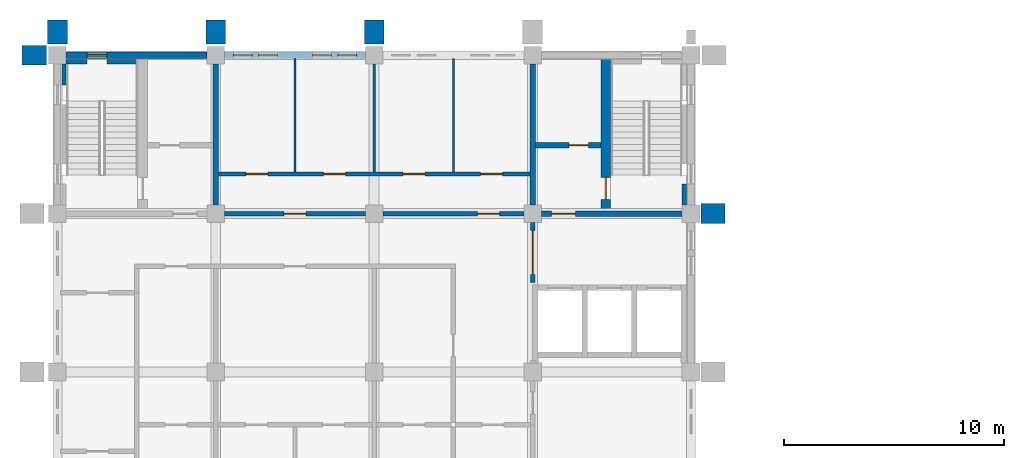
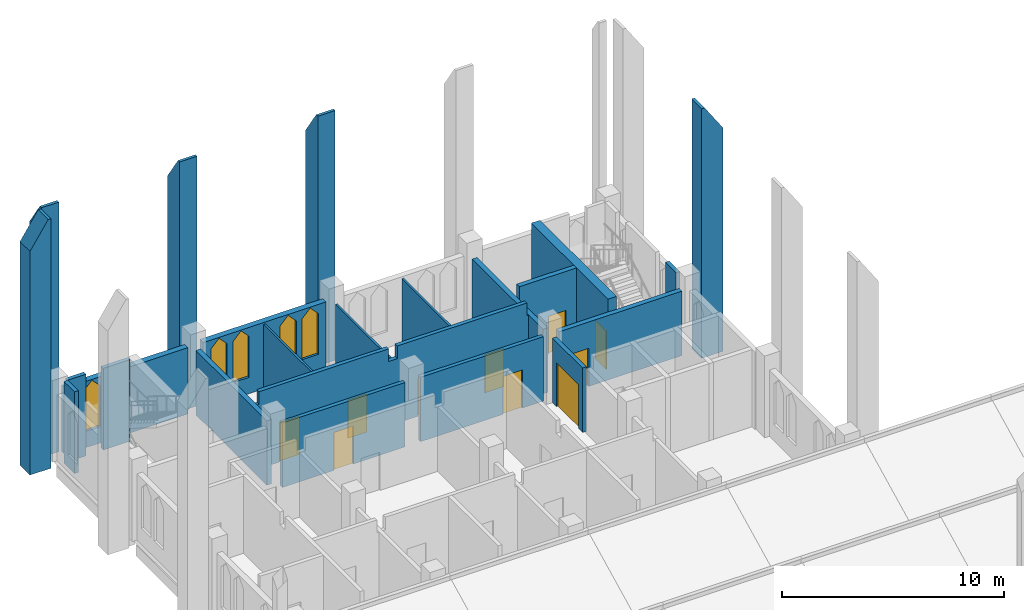
# One storey, part 23 of 29: 23 walls, 10 doors, 5 windows, 15 openings.
"""IFC4 building model written with IfcOpenShell, lengths in metres."""

from ifc_helpers import new_model, si_unit, direction, frame, frame_2d, origin, place, context, subcontext, project, spatial, polyline, rectangle, outline, extrude, material, layer, layer_set, type_object, element, fill, save


model = new_model("IFC4")

# Units and contexts
model_context = context("Model", 3, precision=1e-05, world=origin(), true_north=direction((0.0, 1.0)))
body_context = subcontext(model_context, "Body", "Model", "MODEL_VIEW")
ifc_project = project(units=[si_unit("LENGTHUNIT", "METRE"), si_unit("AREAUNIT", "SQUARE_METRE"), si_unit("VOLUMEUNIT", "CUBIC_METRE"), si_unit("PLANEANGLEUNIT", "RADIAN"), si_unit("MASSUNIT", "GRAM", prefix="KILO")], contexts=[model_context])

# Site, building, storey
site_placement = place(None, origin())
site = spatial("IfcSite", under=ifc_project, at=site_placement, CompositionType="ELEMENT")
building_placement = place(site_placement, origin())
building = spatial("IfcBuilding", under=site, at=building_placement, Name="Silangan Lancet Faculty of Sciences", CompositionType="ELEMENT")
storey_placement = place(building_placement, frame((0.0, 0.0, 40.800048828125)))
storey = spatial("IfcBuildingStorey", under=building, at=storey_placement, Name="L08", CompositionType="ELEMENT", Elevation=40.800048828125)

# Wall, openings, windows
ifc_material_1 = material(Name="Concrete C40/50 precast", Category="concrete")
ifc_layer_1 = layer(ifc_material_1, 0.300048828125)
ifc_layer_set_1 = layer_set([ifc_layer_1], Name="Concrete C40/50 precast")
wall_type_1 = type_object("IfcWallType", Name="EW1 Precast cladding wall", PredefinedType="STANDARD", material=ifc_layer_set_1)
wall_1_placement = place(storey_placement, frame((14.0, 57.60009765625, 0.0), z_axis=(0.0, 0.0, 1.0), x_axis=(-1.0, 0.0, 0.0)))
wall_1 = element("IfcWall", 1, at=wall_1_placement, inside=storey, type_object=wall_type_1, Name="EW-L08-N-NT-02", PredefinedType="STANDARD", context=body_context, shape_type="SweptSolid", body=[
    extrude(rectangle(XDim=6.39990234375, YDim=0.300048828125, at=frame_2d((3.199951171875, 0.0))), origin(), (0.0, 0.0, 1.0), 3.64990234375),
])
opening_1_placement = place(wall_1_placement, frame((0.39990234375, 0.0, 0.89990234375)))
opening_1 = element("IfcOpeningElement", 2, at=opening_1_placement, cuts=wall_1, Name="Opening W21", PredefinedType="OPENING", context=body_context, shape_type="SweptSolid", body=[
    extrude(outline(polyline([(0.0, 0.0), (0.85009765625, 0.0), (0.85009765625, 2.25), (0.425048828125, 2.699951171875), (0.0, 2.25), (0.0, 0.0)])), frame((0.0, 0.159912109375, 0.0), z_axis=(0.0, -1.0, 0.0), x_axis=(1.0, 0.0, 0.0)), (0.0, 0.0, 1.0), 0.320068359375),
])
opening_2_placement = place(wall_1_placement, frame((1.550048828125, 0.0, 0.89990234375)))
opening_2 = element("IfcOpeningElement", 3, at=opening_2_placement, cuts=wall_1, Name="Opening W21", PredefinedType="OPENING", context=body_context, shape_type="SweptSolid", body=[
    extrude(outline(polyline([(0.0, 0.0), (0.85009765625, 0.0), (0.85009765625, 2.25), (0.425048828125, 2.699951171875), (0.0, 2.25), (0.0, 0.0)])), frame((0.0, 0.159912109375, 0.0), z_axis=(0.0, -1.0, 0.0), x_axis=(1.0, 0.0, 0.0)), (0.0, 0.0, 1.0), 0.320068359375),
])
opening_3_placement = place(wall_1_placement, frame((4.0, 0.0, 0.89990234375)))
opening_3 = element("IfcOpeningElement", 4, at=opening_3_placement, cuts=wall_1, Name="Opening W21", PredefinedType="OPENING", context=body_context, shape_type="SweptSolid", body=[
    extrude(outline(polyline([(0.0, 0.0), (0.85009765625, 0.0), (0.85009765625, 2.25), (0.425048828125, 2.699951171875), (0.0, 2.25), (0.0, 0.0)])), frame((0.0, 0.159912109375, 0.0), z_axis=(0.0, -1.0, 0.0), x_axis=(1.0, 0.0, 0.0)), (0.0, 0.0, 1.0), 0.320068359375),
])
opening_4_placement = place(wall_1_placement, frame((5.14990234375, 0.0, 0.89990234375)))
opening_4 = element("IfcOpeningElement", 5, at=opening_4_placement, cuts=wall_1, Name="Opening W21", PredefinedType="OPENING", context=body_context, shape_type="SweptSolid", body=[
    extrude(outline(polyline([(0.0, 0.0), (0.85009765625, 0.0), (0.85009765625, 2.25), (0.425048828125, 2.699951171875), (0.0, 2.25), (0.0, 0.0)])), frame((0.0, 0.159912109375, 0.0), z_axis=(0.0, -1.0, 0.0), x_axis=(1.0, 0.0, 0.0)), (0.0, 0.0, 1.0), 0.320068359375),
])
ifc_material_2 = material(Name="Aluminium frame, laminated double glazing", Category="aluminium")
window_type_1 = type_object("IfcWindowType", Name="W21 Lancet window 850 x 2700", PartitioningType="SINGLE_PANEL", PredefinedType="WINDOW", material=ifc_material_2)
window_1_placement = place(opening_1_placement, origin())
window_1 = element("IfcWindow", 6, at=window_1_placement, inside=storey, type_object=window_type_1, Name="WIN-L08-N-NT-02a1", OverallHeight=2.699951171875, OverallWidth=0.85009765625, PartitioningType="SINGLE_PANEL", PredefinedType="WINDOW", context=body_context, shape_type="SweptSolid", body=[
    extrude(outline(polyline([(0.0, 0.0), (0.85009765625, 0.0), (0.85009765625, 2.25), (0.425048828125, 2.699951171875), (0.0, 2.25), (0.0, 0.0)])), frame((0.0, 0.030029296875, 0.0), z_axis=(0.0, -1.0, 0.0), x_axis=(1.0, 0.0, 0.0)), (0.0, 0.0, 1.0), 0.06005859375),
])
fill(opening_1, window_1)
window_2_placement = place(opening_2_placement, origin())
window_2 = element("IfcWindow", 7, at=window_2_placement, inside=storey, type_object=window_type_1, Name="WIN-L08-N-NT-02a2", OverallHeight=2.699951171875, OverallWidth=0.85009765625, PartitioningType="SINGLE_PANEL", PredefinedType="WINDOW", context=body_context, shape_type="SweptSolid", body=[
    extrude(outline(polyline([(0.0, 0.0), (0.85009765625, 0.0), (0.85009765625, 2.25), (0.425048828125, 2.699951171875), (0.0, 2.25), (0.0, 0.0)])), frame((0.0, 0.030029296875, 0.0), z_axis=(0.0, -1.0, 0.0), x_axis=(1.0, 0.0, 0.0)), (0.0, 0.0, 1.0), 0.06005859375),
])
fill(opening_2, window_2)
window_3_placement = place(opening_3_placement, origin())
window_3 = element("IfcWindow", 8, at=window_3_placement, inside=storey, type_object=window_type_1, Name="WIN-L08-N-NT-02b1", OverallHeight=2.699951171875, OverallWidth=0.85009765625, PartitioningType="SINGLE_PANEL", PredefinedType="WINDOW", context=body_context, shape_type="SweptSolid", body=[
    extrude(outline(polyline([(0.0, 0.0), (0.85009765625, 0.0), (0.85009765625, 2.25), (0.425048828125, 2.699951171875), (0.0, 2.25), (0.0, 0.0)])), frame((0.0, 0.030029296875, 0.0), z_axis=(0.0, -1.0, 0.0), x_axis=(1.0, 0.0, 0.0)), (0.0, 0.0, 1.0), 0.06005859375),
])
fill(opening_3, window_3)
window_4_placement = place(opening_4_placement, origin())
window_4 = element("IfcWindow", 9, at=window_4_placement, inside=storey, type_object=window_type_1, Name="WIN-L08-N-NT-02b2", OverallHeight=2.699951171875, OverallWidth=0.85009765625, PartitioningType="SINGLE_PANEL", PredefinedType="WINDOW", context=body_context, shape_type="SweptSolid", body=[
    extrude(outline(polyline([(0.0, 0.0), (0.85009765625, 0.0), (0.85009765625, 2.25), (0.425048828125, 2.699951171875), (0.0, 2.25), (0.0, 0.0)])), frame((0.0, 0.030029296875, 0.0), z_axis=(0.0, -1.0, 0.0), x_axis=(1.0, 0.0, 0.0)), (0.0, 0.0, 1.0), 0.06005859375),
])
fill(opening_4, window_4)

# Wall, opening, window
ifc_material_3 = material(Name="Concrete C40/50 precast", Category="concrete")
ifc_layer_2 = layer(ifc_material_3, 0.300048828125)
ifc_layer_set_2 = layer_set([ifc_layer_2], Name="Concrete C40/50 precast")
wall_type_2 = type_object("IfcWallType", Name="EW2 Turret enclosure wall", PredefinedType="STANDARD", material=ifc_layer_set_2)
wall_2_placement = place(storey_placement, frame((6.800048828125, 57.60009765625, 0.0), z_axis=(0.0, 0.0, 1.0), x_axis=(-1.0, 0.0, 0.0)))
wall_2 = element("IfcWall", 10, at=wall_2_placement, inside=storey, type_object=wall_type_2, Name="EW-L08-N-NT-03", PredefinedType="STANDARD", context=body_context, shape_type="SweptSolid", body=[
    extrude(rectangle(XDim=6.400146484375, YDim=0.300048828125, at=frame_2d((3.2001953125, 0.0))), origin(), (0.0, 0.0, 1.0), 3.64990234375),
])
opening_5_placement = place(wall_2_placement, frame((4.550048828125, 0.0, 0.89990234375)))
opening_5 = element("IfcOpeningElement", 11, at=opening_5_placement, cuts=wall_2, Name="Opening W22", PredefinedType="OPENING", context=body_context, shape_type="SweptSolid", body=[
    extrude(outline(polyline([(0.0, 0.0), (0.89990234375, 0.0), (0.89990234375, 2.25), (0.449951171875, 2.699951171875), (0.0, 2.25), (0.0, 0.0)])), frame((0.0, 0.159912109375, 0.0), z_axis=(0.0, -1.0, 0.0), x_axis=(1.0, 0.0, 0.0)), (0.0, 0.0, 1.0), 0.320068359375),
])
ifc_material_4 = material(Name="Aluminium frame, laminated double glazing", Category="aluminium")
window_type_2 = type_object("IfcWindowType", Name="W22 Lancet window 900 x 2700", PartitioningType="SINGLE_PANEL", PredefinedType="WINDOW", material=ifc_material_4)
window_5_placement = place(opening_5_placement, origin())
window_5 = element("IfcWindow", 12, at=window_5_placement, inside=storey, type_object=window_type_2, Name="WIN-L08-N-NT-03b", OverallHeight=2.699951171875, OverallWidth=0.89990234375, PartitioningType="SINGLE_PANEL", PredefinedType="WINDOW", context=body_context, shape_type="SweptSolid", body=[
    extrude(outline(polyline([(0.0, 0.0), (0.89990234375, 0.0), (0.89990234375, 2.25), (0.449951171875, 2.699951171875), (0.0, 2.25), (0.0, 0.0)])), frame((0.0, 0.030029296875, 0.0), z_axis=(0.0, -1.0, 0.0), x_axis=(1.0, 0.0, 0.0)), (0.0, 0.0, 1.0), 0.06005859375),
])
fill(opening_5, window_5)

# Walls
ifc_material_5 = material(Name="Concrete C40/50 precast", Category="concrete")
ifc_layer_3 = layer(ifc_material_5, 0.89990234375)
ifc_layer_set_3 = layer_set([ifc_layer_3], Name="Concrete C40/50 precast")
wall_type_3 = type_object("IfcWallType", Name="FN30 Buttress Fin column line stage 3 13750", PredefinedType="POLYGONAL", material=ifc_layer_set_3)
for number, where, z_axis, x_axis, name in (
    (13, (-0.5, 57.60009765625, -0.25), (0.0, 0.0, 1.0), (-1.0, 0.0, 0.0), "FINC-W-NT-03-S3"),
    (14, (0.0, 58.10009765625, -0.25), (0.0, 0.0, 1.0), (0.0, 1.0, 0.0), "FINC-N-NT-01-S3"),
    (15, (7.199951171875, 58.10009765625, -0.25), (0.0, 0.0, 1.0), (0.0, 1.0, 0.0), "FINC-N-NT-02-S3"),
    (16, (14.39990234375, 58.10009765625, -0.25), (0.0, 0.0, 1.0), (0.0, 1.0, 0.0), "FINC-N-NT-03-S3"),
):
    element("IfcWall", number, at=place(storey_placement, frame(where, z_axis=z_axis, x_axis=x_axis)), inside=storey, type_object=wall_type_3, Name=name, PredefinedType="POLYGONAL", context=body_context, shape_type="SweptSolid", body=[
        extrude(outline(polyline([(1.10009765625, 0.0), (1.10009765625, 12.324951171875), (0.14990234375, 13.75), (0.0, 13.75), (0.0, 0.0), (1.10009765625, 0.0)])), frame((0.0, 0.449951171875, 0.0), z_axis=(0.0, -1.0, 0.0), x_axis=(1.0, 0.0, 0.0)), (0.0, 0.0, 1.0), 0.89990234375),
    ])
ifc_material_6 = material(Name="Concrete C40/50 precast", Category="concrete")
ifc_layer_4 = layer(ifc_material_6, 0.89990234375)
ifc_layer_set_4 = layer_set([ifc_layer_4], Name="Concrete C40/50 precast")
wall_type_4 = type_object("IfcWallType", Name="FN48 Buttress Fin column line stage 3 13750", PredefinedType="POLYGONAL", material=ifc_layer_set_4)
wall_3_placement = place(storey_placement, frame((29.25, 50.39990234375, -0.25), z_axis=(0.0, 0.0, 1.0), x_axis=(1.0, 0.0, 0.0)))
element("IfcWall", 17, at=wall_3_placement, inside=storey, type_object=wall_type_4, Name="FINC-E-NT-03-S3", PredefinedType="POLYGONAL", context=body_context, shape_type="SweptSolid", body=[
    extrude(outline(polyline([(1.10009765625, 0.0), (1.10009765625, 12.324951171875), (0.14990234375, 13.75), (0.0, 13.75), (0.0, 0.0), (1.10009765625, 0.0)])), frame((0.0, 0.449951171875, 0.0), z_axis=(0.0, -1.0, 0.0), x_axis=(1.0, 0.0, 0.0)), (0.0, 0.0, 1.0), 0.89990234375),
])

# Wall, opening, door
ifc_material_7 = material(Name="Hollow block masonry fm 7 MPa", Category="masonry")
ifc_layer_5 = layer(ifc_material_7, 0.199951171875)
ifc_layer_set_5 = layer_set([ifc_layer_5], Name="Hollow block masonry fm 7 MPa")
wall_type_5 = type_object("IfcWallType", Name="Interior wall PW1 Corridor wall CHB 200", PredefinedType="PARTITIONING", material=ifc_layer_set_5)
wall_4_placement = place(storey_placement, frame((7.60009765625, 50.39990234375, 0.0), z_axis=(0.0, 0.0, 1.0), x_axis=(1.0, 0.0, 0.0)))
wall_4 = element("IfcWall", 18, at=wall_4_placement, inside=storey, type_object=wall_type_5, Name="Corridor wall CHB 200", PredefinedType="PARTITIONING", context=body_context, shape_type="SweptSolid", body=[
    extrude(rectangle(XDim=6.39990234375, YDim=0.199951171875, at=frame_2d((3.199951171875, 0.0))), origin(), (0.0, 0.0, 1.0), 3.550048828125),
])
opening_6_placement = place(wall_4_placement, frame((2.699951171875, 0.0, 0.0)))
opening_6 = element("IfcOpeningElement", 19, at=opening_6_placement, cuts=wall_4, Name="Opening L08-005", PredefinedType="OPENING", context=body_context, shape_type="SweptSolid", body=[
    extrude(rectangle(XDim=1.0, YDim=2.10009765625, at=frame_2d((0.5, 1.050048828125))), frame((0.0, 0.10986328125, 0.0), z_axis=(0.0, -1.0, 0.0), x_axis=(1.0, 0.0, 0.0)), (0.0, 0.0, 1.0), 0.219970703125),
])
ifc_material_8 = material(Name="Steel fire door set", Category="steel")
door_type_1 = type_object("IfcDoorType", Name="Door D1 Single leaf fire door 1000 x 2100", OperationType="SINGLE_SWING_LEFT", PredefinedType="DOOR", material=ifc_material_8)
door_1_placement = place(opening_6_placement, origin())
door_1 = element("IfcDoor", 20, at=door_1_placement, inside=storey, type_object=door_type_1, Name="Single leaf fire door 1000 x 2100", OperationType="SINGLE_SWING_RIGHT", OverallHeight=2.10009765625, OverallWidth=1.0, PredefinedType="DOOR", context=body_context, shape_type="SweptSolid", body=[
    extrude(rectangle(XDim=1.0, YDim=2.10009765625, at=frame_2d((0.5, 1.050048828125))), frame((0.0, 0.02490234375, 0.0), z_axis=(0.0, -1.0, 0.0), x_axis=(1.0, 0.0, 0.0)), (0.0, 0.0, 1.0), 0.050048828125),
])
fill(opening_6, door_1)

wall_5_placement = place(storey_placement, frame((14.800048828125, 50.39990234375, 0.0), z_axis=(0.0, 0.0, 1.0), x_axis=(1.0, 0.0, 0.0)))
wall_5 = element("IfcWall", 21, at=wall_5_placement, inside=storey, type_object=wall_type_5, Name="Corridor wall CHB 200", PredefinedType="PARTITIONING", context=body_context, shape_type="SweptSolid", body=[
    extrude(rectangle(XDim=6.39990234375, YDim=0.199951171875, at=frame_2d((3.199951171875, 0.0))), origin(), (0.0, 0.0, 1.0), 3.550048828125),
])
opening_7_placement = place(wall_5_placement, frame((4.300048828125, 0.0, 0.0)))
opening_7 = element("IfcOpeningElement", 22, at=opening_7_placement, cuts=wall_5, Name="Opening L08-006", PredefinedType="OPENING", context=body_context, shape_type="SweptSolid", body=[
    extrude(rectangle(XDim=1.0, YDim=2.10009765625, at=frame_2d((0.5, 1.050048828125))), frame((0.0, 0.10986328125, 0.0), z_axis=(0.0, -1.0, 0.0), x_axis=(1.0, 0.0, 0.0)), (0.0, 0.0, 1.0), 0.219970703125),
])
door_2_placement = place(opening_7_placement, origin())
door_2 = element("IfcDoor", 23, at=door_2_placement, inside=storey, type_object=door_type_1, Name="Single leaf fire door 1000 x 2100", OperationType="SINGLE_SWING_LEFT", OverallHeight=2.10009765625, OverallWidth=1.0, PredefinedType="DOOR", context=body_context, shape_type="SweptSolid", body=[
    extrude(rectangle(XDim=1.0, YDim=2.10009765625, at=frame_2d((0.5, 1.050048828125))), frame((0.0, 0.02490234375, 0.0), z_axis=(0.0, -1.0, 0.0), x_axis=(1.0, 0.0, 0.0)), (0.0, 0.0, 1.0), 0.050048828125),
])
fill(opening_7, door_2)

# Wall, openings, doors
wall_6_placement = place(storey_placement, frame((7.324951171875, 52.199951171875, 0.0), z_axis=(0.0, 0.0, 1.0), x_axis=(1.0, 0.0, 0.0)))
wall_6 = element("IfcWall", 24, at=wall_6_placement, inside=storey, type_object=wall_type_5, Name="Corridor wall CHB 200", PredefinedType="PARTITIONING", context=body_context, shape_type="SweptSolid", body=[
    extrude(outline(polyline([(0.0, 0.0), (14.150146484375, 0.0), (14.150146484375, 3.550048828125), (14.050048828125, 3.550048828125), (14.050048828125, 4.25), (7.300048828125, 4.25), (7.300048828125, 3.550048828125), (6.85009765625, 3.550048828125), (6.85009765625, 4.25), (0.10009765625, 4.25), (0.10009765625, 3.550048828125), (0.0, 3.550048828125), (0.0, 0.0)])), frame((0.0, 0.10009765625, 0.0), z_axis=(0.0, -1.0, 0.0), x_axis=(1.0, 0.0, 0.0)), (0.0, 0.0, 1.0), 0.199951171875),
])
opening_8_placement = place(wall_6_placement, frame((1.237548828125, 0.0, 0.0)))
opening_8 = element("IfcOpeningElement", 25, at=opening_8_placement, cuts=wall_6, Name="Opening L08-018", PredefinedType="OPENING", context=body_context, shape_type="SweptSolid", body=[
    extrude(rectangle(XDim=1.0, YDim=2.10009765625, at=frame_2d((0.5, 1.050048828125))), frame((0.0, 0.10986328125, 0.0), z_axis=(0.0, -1.0, 0.0), x_axis=(1.0, 0.0, 0.0)), (0.0, 0.0, 1.0), 0.219970703125),
])
opening_9_placement = place(wall_6_placement, frame((4.77490234375, 0.0, 0.0)))
opening_9 = element("IfcOpeningElement", 26, at=opening_9_placement, cuts=wall_6, Name="Opening L08-019", PredefinedType="OPENING", context=body_context, shape_type="SweptSolid", body=[
    extrude(rectangle(XDim=1.0, YDim=2.10009765625, at=frame_2d((0.5, 1.050048828125))), frame((0.0, 0.10986328125, 0.0), z_axis=(0.0, -1.0, 0.0), x_axis=(1.0, 0.0, 0.0)), (0.0, 0.0, 1.0), 0.219970703125),
])
opening_10_placement = place(wall_6_placement, frame((8.375, 0.0, 0.0)))
opening_10 = element("IfcOpeningElement", 27, at=opening_10_placement, cuts=wall_6, Name="Opening L08-020", PredefinedType="OPENING", context=body_context, shape_type="SweptSolid", body=[
    extrude(rectangle(XDim=1.0, YDim=2.10009765625, at=frame_2d((0.5, 1.050048828125))), frame((0.0, 0.10986328125, 0.0), z_axis=(0.0, -1.0, 0.0), x_axis=(1.0, 0.0, 0.0)), (0.0, 0.0, 1.0), 0.219970703125),
])
opening_11_placement = place(wall_6_placement, frame((11.91259765625, 0.0, 0.0)))
opening_11 = element("IfcOpeningElement", 28, at=opening_11_placement, cuts=wall_6, Name="Opening L08-021", PredefinedType="OPENING", context=body_context, shape_type="SweptSolid", body=[
    extrude(rectangle(XDim=1.0, YDim=2.10009765625, at=frame_2d((0.5, 1.050048828125))), frame((0.0, 0.10986328125, 0.0), z_axis=(0.0, -1.0, 0.0), x_axis=(1.0, 0.0, 0.0)), (0.0, 0.0, 1.0), 0.219970703125),
])
door_3_placement = place(opening_8_placement, origin())
door_3 = element("IfcDoor", 29, at=door_3_placement, inside=storey, type_object=door_type_1, Name="Single leaf fire door 1000 x 2100", OperationType="SINGLE_SWING_LEFT", OverallHeight=2.10009765625, OverallWidth=1.0, PredefinedType="DOOR", context=body_context, shape_type="SweptSolid", body=[
    extrude(rectangle(XDim=1.0, YDim=2.10009765625, at=frame_2d((0.5, 1.050048828125))), frame((0.0, 0.02490234375, 0.0), z_axis=(0.0, -1.0, 0.0), x_axis=(1.0, 0.0, 0.0)), (0.0, 0.0, 1.0), 0.050048828125),
])
fill(opening_8, door_3)
door_4_placement = place(opening_9_placement, origin())
door_4 = element("IfcDoor", 30, at=door_4_placement, inside=storey, type_object=door_type_1, Name="Single leaf fire door 1000 x 2100", OperationType="SINGLE_SWING_RIGHT", OverallHeight=2.10009765625, OverallWidth=1.0, PredefinedType="DOOR", context=body_context, shape_type="SweptSolid", body=[
    extrude(rectangle(XDim=1.0, YDim=2.10009765625, at=frame_2d((0.5, 1.050048828125))), frame((0.0, 0.02490234375, 0.0), z_axis=(0.0, -1.0, 0.0), x_axis=(1.0, 0.0, 0.0)), (0.0, 0.0, 1.0), 0.050048828125),
])
fill(opening_9, door_4)
door_5_placement = place(opening_10_placement, origin())
door_5 = element("IfcDoor", 31, at=door_5_placement, inside=storey, type_object=door_type_1, Name="Single leaf fire door 1000 x 2100", OperationType="SINGLE_SWING_LEFT", OverallHeight=2.10009765625, OverallWidth=1.0, PredefinedType="DOOR", context=body_context, shape_type="SweptSolid", body=[
    extrude(rectangle(XDim=1.0, YDim=2.10009765625, at=frame_2d((0.5, 1.050048828125))), frame((0.0, 0.02490234375, 0.0), z_axis=(0.0, -1.0, 0.0), x_axis=(1.0, 0.0, 0.0)), (0.0, 0.0, 1.0), 0.050048828125),
])
fill(opening_10, door_5)
door_6_placement = place(opening_11_placement, origin())
door_6 = element("IfcDoor", 32, at=door_6_placement, inside=storey, type_object=door_type_1, Name="Single leaf fire door 1000 x 2100", OperationType="SINGLE_SWING_RIGHT", OverallHeight=2.10009765625, OverallWidth=1.0, PredefinedType="DOOR", context=body_context, shape_type="SweptSolid", body=[
    extrude(rectangle(XDim=1.0, YDim=2.10009765625, at=frame_2d((0.5, 1.050048828125))), frame((0.0, 0.02490234375, 0.0), z_axis=(0.0, -1.0, 0.0), x_axis=(1.0, 0.0, 0.0)), (0.0, 0.0, 1.0), 0.050048828125),
])
fill(opening_11, door_6)

# Walls
ifc_material_9 = material(Name="Hollow block masonry fm 7 MPa", Category="masonry")
ifc_layer_6 = layer(ifc_material_9, 0.10009765625)
ifc_layer_set_6 = layer_set([ifc_layer_6], Name="Hollow block masonry fm 7 MPa")
wall_type_6 = type_object("IfcWallType", Name="Interior wall PW8 WC partition CHB 100", PredefinedType="PARTITIONING", material=ifc_layer_set_6)
wall_7_placement = place(storey_placement, frame((10.800048828125, 52.300048828125, 0.0), z_axis=(0.0, 0.0, 1.0), x_axis=(0.0, 1.0, 0.0)))
element("IfcWall", 33, at=wall_7_placement, inside=storey, type_object=wall_type_6, Name="WC partition CHB 100", PredefinedType="PARTITIONING", context=body_context, shape_type="SweptSolid", body=[
    extrude(rectangle(XDim=5.14990234375, YDim=0.10009765625, at=frame_2d((2.574951171875, 0.0))), origin(), (0.0, 0.0, 1.0), 3.550048828125),
])
wall_8_placement = place(storey_placement, frame((14.39990234375, 52.300048828125, 0.0), z_axis=(0.0, 0.0, 1.0), x_axis=(0.0, 1.0, 0.0)))
element("IfcWall", 34, at=wall_8_placement, inside=storey, type_object=wall_type_6, Name="WC partition CHB 100", PredefinedType="PARTITIONING", context=body_context, shape_type="SweptSolid", body=[
    extrude(rectangle(XDim=4.89990234375, YDim=0.10009765625, at=frame_2d((2.449951171875, 0.0))), origin(), (0.0, 0.0, 1.0), 3.550048828125),
])
wall_9_placement = place(storey_placement, frame((18.0, 52.300048828125, 0.0), z_axis=(0.0, 0.0, 1.0), x_axis=(0.0, 1.0, 0.0)))
element("IfcWall", 35, at=wall_9_placement, inside=storey, type_object=wall_type_6, Name="WC partition CHB 100", PredefinedType="PARTITIONING", context=body_context, shape_type="SweptSolid", body=[
    extrude(rectangle(XDim=5.14990234375, YDim=0.10009765625, at=frame_2d((2.574951171875, 0.0))), origin(), (0.0, 0.0, 1.0), 3.550048828125),
])

# Wall, opening, door
ifc_material_10 = material(Name="Hollow block masonry fm 7 MPa", Category="masonry")
ifc_layer_7 = layer(ifc_material_10, 0.199951171875)
ifc_layer_set_7 = layer_set([ifc_layer_7], Name="Hollow block masonry fm 7 MPa")
wall_type_7 = type_object("IfcWallType", Name="Interior wall PW9 Lift lobby wall CHB 200", PredefinedType="PARTITIONING", material=ifc_layer_set_7)
wall_10_placement = place(storey_placement, frame((21.60009765625, 47.27490234375, 0.0), z_axis=(0.0, 0.0, 1.0), x_axis=(0.0, 1.0, 0.0)))
wall_10 = element("IfcWall", 36, at=wall_10_placement, inside=storey, type_object=wall_type_7, Name="Lift lobby wall CHB 200", PredefinedType="PARTITIONING", context=body_context, shape_type="SweptSolid", body=[
    extrude(rectangle(XDim=2.72509765625, YDim=0.199951171875, at=frame_2d((1.362548828125, 0.0))), origin(), (0.0, 0.0, 1.0), 3.550048828125),
])
opening_12_placement = place(wall_10_placement, frame((0.362548828125, 0.0, 0.0)))
opening_12 = element("IfcOpeningElement", 37, at=opening_12_placement, cuts=wall_10, Name="Opening L08-004", PredefinedType="OPENING", context=body_context, shape_type="SweptSolid", body=[
    extrude(rectangle(XDim=2.0, YDim=2.39990234375, at=frame_2d((1.0, 1.199951171875))), frame((0.0, 0.10986328125, 0.0), z_axis=(0.0, -1.0, 0.0), x_axis=(1.0, 0.0, 0.0)), (0.0, 0.0, 1.0), 0.219970703125),
])
ifc_material_11 = material(Name="Steel fire door set", Category="steel")
door_type_2 = type_object("IfcDoorType", Name="Door D5 Lift lobby double fire door 2000 x 2400", OperationType="DOUBLE_DOOR_SINGLE_SWING", PredefinedType="DOOR", material=ifc_material_11)
door_7_placement = place(opening_12_placement, origin())
door_7 = element("IfcDoor", 38, at=door_7_placement, inside=storey, type_object=door_type_2, Name="Lift lobby double fire door 2000 x 2400", OperationType="DOUBLE_DOOR_SINGLE_SWING", OverallHeight=2.39990234375, OverallWidth=2.0, PredefinedType="DOOR", context=body_context, shape_type="SweptSolid", body=[
    extrude(rectangle(XDim=2.0, YDim=2.39990234375, at=frame_2d((1.0, 1.199951171875))), frame((0.0, 0.02490234375, 0.0), z_axis=(0.0, -1.0, 0.0), x_axis=(1.0, 0.0, 0.0)), (0.0, 0.0, 1.0), 0.050048828125),
])
fill(opening_12, door_7)

ifc_material_12 = material(Name="Concrete C40/50", Category="concrete")
ifc_layer_8 = layer(ifc_material_12, 0.449951171875)
ifc_layer_set_8 = layer_set([ifc_layer_8], Name="Concrete C40/50")
wall_type_8 = type_object("IfcWallType", Name="TURRET CORE WALL RC 450", PredefinedType="SHEAR", material=ifc_layer_set_8)
wall_11_placement = place(storey_placement, frame((24.925048828125, 50.52490234375, 0.0), z_axis=(0.0, 0.0, 1.0), x_axis=(0.0, 1.0, 0.0)))
wall_11 = element("IfcWall", 39, at=wall_11_placement, inside=storey, type_object=wall_type_8, Name="WALL-L08-NT-B-WELL", PredefinedType="SHEAR", context=body_context, shape_type="SweptSolid", body=[
    extrude(rectangle(XDim=6.925048828125, YDim=0.449951171875, at=frame_2d((3.46240234375, 0.0))), origin(), (0.0, 0.0, 1.0), 4.25),
])
opening_13_placement = place(wall_11_placement, frame((0.52490234375, 0.0, 0.0)))
opening_13 = element("IfcOpeningElement", 40, at=opening_13_placement, cuts=wall_11, Name="Opening L08-704", PredefinedType="OPENING", context=body_context, shape_type="SweptSolid", body=[
    extrude(rectangle(XDim=1.0, YDim=2.10009765625, at=frame_2d((0.5, 1.050048828125))), frame((0.0, 0.23486328125, 0.0), z_axis=(0.0, -1.0, 0.0), x_axis=(1.0, 0.0, 0.0)), (0.0, 0.0, 1.0), 0.469970703125),
])
ifc_material_13 = material(Name="Steel fire door set", Category="steel")
door_type_3 = type_object("IfcDoorType", Name="D71 Stair enclosure door 1000x2100", OperationType="SINGLE_SWING_LEFT", PredefinedType="DOOR", material=ifc_material_13)
door_8_placement = place(opening_13_placement, frame((1.0, 0.0, 0.0), z_axis=(0.0, 0.0, 1.0), x_axis=(-1.0, 0.0, 0.0)))
door_8 = element("IfcDoor", 41, at=door_8_placement, inside=storey, type_object=door_type_3, Name="Stair enclosure door NT-B L08", OperationType="SINGLE_SWING_RIGHT", OverallHeight=2.10009765625, OverallWidth=1.0, PredefinedType="DOOR", context=body_context, shape_type="SweptSolid", body=[
    extrude(rectangle(XDim=1.0, YDim=2.10009765625, at=frame_2d((0.5, 1.050048828125))), frame((0.0, 0.025146484375, 0.0), z_axis=(0.0, -1.0, 0.0), x_axis=(1.0, 0.0, 0.0)), (0.0, 0.0, 1.0), 0.050048828125),
])
fill(opening_13, door_8)

# Walls
ifc_material_14 = material(Name="Concrete C40/50", Category="concrete")
ifc_layer_9 = layer(ifc_material_14, 0.199951171875)
ifc_layer_set_9 = layer_set([ifc_layer_9], Name="Concrete C40/50")
wall_type_9 = type_object("IfcWallType", Name="TURRET LINING WALL RC 200", PredefinedType="SHEAR", material=ifc_layer_set_9)
wall_12_placement = place(storey_placement, frame((0.300048828125, 56.25, -0.25), z_axis=(0.0, 0.0, 1.0), x_axis=(0.0, 1.0, 0.0)))
element("IfcWall", 42, at=wall_12_placement, inside=storey, type_object=wall_type_9, Name="WALL-L08-NT-A-WL-3", PredefinedType="SHEAR", context=body_context, shape_type="SweptSolid", body=[
    extrude(rectangle(XDim=0.949951171875, YDim=0.199951171875, at=frame_2d((0.47509765625, 0.0))), origin(), (0.0, 0.0, 1.0), 4.5),
])
wall_13_placement = place(storey_placement, frame((0.39990234375, 57.300048828125, -0.25), z_axis=(0.0, 0.0, 1.0), x_axis=(1.0, 0.0, 0.0)))
element("IfcWall", 43, at=wall_13_placement, inside=storey, type_object=wall_type_9, Name="WALL-L08-NT-A-WLD", PredefinedType="SHEAR", context=body_context, shape_type="SweptSolid", body=[
    extrude(rectangle(XDim=0.9501953125, YDim=0.199951171875, at=frame_2d((0.47509765625, 0.0))), origin(), (0.0, 0.0, 1.0), 4.5),
])
wall_14_placement = place(storey_placement, frame((2.25, 57.300048828125, -0.25), z_axis=(0.0, 0.0, 1.0), x_axis=(1.0, 0.0, 0.0)))
element("IfcWall", 44, at=wall_14_placement, inside=storey, type_object=wall_type_9, Name="WALL-L08-NT-A-WLD-2", PredefinedType="SHEAR", context=body_context, shape_type="SweptSolid", body=[
    extrude(rectangle(XDim=1.39990234375, YDim=0.199951171875, at=frame_2d((0.699951171875, 0.0))), origin(), (0.0, 0.0, 1.0), 4.5),
])
wall_15_placement = place(storey_placement, frame((28.5, 50.800048828125, -0.25), z_axis=(0.0, 0.0, 1.0), x_axis=(0.0, 1.0, 0.0)))
element("IfcWall", 45, at=wall_15_placement, inside=storey, type_object=wall_type_9, Name="WALL-L08-NT-B-WL", PredefinedType="SHEAR", context=body_context, shape_type="SweptSolid", body=[
    extrude(rectangle(XDim=0.949951171875, YDim=0.199951171875, at=frame_2d((0.47509765625, 0.0))), origin(), (0.0, 0.0, 1.0), 4.5),
])
ifc_material_15 = material(Name="Concrete C40/50", Category="concrete")
ifc_layer_10 = layer(ifc_material_15, 0.25)
ifc_layer_set_10 = layer_set([ifc_layer_10], Name="Concrete C40/50")
wall_type_10 = type_object("IfcWallType", Name="TURRET WALL RC 250", PredefinedType="SHEAR", material=ifc_layer_set_10)
wall_16_placement = place(storey_placement, frame((7.199951171875, 50.800048828125, 0.0), z_axis=(0.0, 0.0, 1.0), x_axis=(0.0, 1.0, 0.0)))
element("IfcWall", 46, at=wall_16_placement, inside=storey, type_object=wall_type_10, Name="WALL-L08-NT-A-O", PredefinedType="SHEAR", context=body_context, shape_type="SweptSolid", body=[
    extrude(rectangle(XDim=6.39990234375, YDim=0.25, at=frame_2d((3.199951171875, 0.0))), origin(), (0.0, 0.0, 1.0), 3.550048828125),
])

# Wall, opening, door
wall_17_placement = place(storey_placement, frame((22.0, 50.39990234375, 0.0), z_axis=(0.0, 0.0, 1.0), x_axis=(1.0, 0.0, 0.0)))
wall_17 = element("IfcWall", 47, at=wall_17_placement, inside=storey, type_object=wall_type_10, Name="WALL-L08-NT-B-V", PredefinedType="SHEAR", context=body_context, shape_type="SweptSolid", body=[
    extrude(rectangle(XDim=6.39990234375, YDim=0.25, at=frame_2d((3.199951171875, 0.0))), origin(), (0.0, 0.0, 1.0), 3.550048828125),
])
opening_14_placement = place(wall_17_placement, frame((0.449951171875, 0.0, 0.0)))
opening_14 = element("IfcOpeningElement", 48, at=opening_14_placement, cuts=wall_17, Name="Opening L08-705", PredefinedType="OPENING", context=body_context, shape_type="SweptSolid", body=[
    extrude(rectangle(XDim=1.10009765625, YDim=2.10009765625, at=frame_2d((0.550048828125, 1.050048828125))), frame((0.0, 0.135009765625, 0.0), z_axis=(0.0, -1.0, 0.0), x_axis=(1.0, 0.0, 0.0)), (0.0, 0.0, 1.0), 0.27001953125),
])
ifc_material_16 = material(Name="Steel fire door set", Category="steel")
door_type_4 = type_object("IfcDoorType", Name="D70 Stair vestibule door 1100x2100", OperationType="SINGLE_SWING_LEFT", PredefinedType="DOOR", material=ifc_material_16)
door_9_placement = place(opening_14_placement, origin())
door_9 = element("IfcDoor", 49, at=door_9_placement, inside=storey, type_object=door_type_4, Name="Stair vestibule door NT-B L08", OperationType="SINGLE_SWING_LEFT", OverallHeight=2.10009765625, OverallWidth=1.10009765625, PredefinedType="DOOR", context=body_context, shape_type="SweptSolid", body=[
    extrude(rectangle(XDim=1.10009765625, YDim=2.10009765625, at=frame_2d((0.550048828125, 1.050048828125))), frame((0.0, 0.02490234375, 0.0), z_axis=(0.0, -1.0, 0.0), x_axis=(1.0, 0.0, 0.0)), (0.0, 0.0, 1.0), 0.050048828125),
])
fill(opening_14, door_9)

# Wall
wall_18_placement = place(storey_placement, frame((21.60009765625, 50.800048828125, 0.0), z_axis=(0.0, 0.0, 1.0), x_axis=(0.0, 1.0, 0.0)))
element("IfcWall", 50, at=wall_18_placement, inside=storey, type_object=wall_type_10, Name="WALL-L08-NT-B-O", PredefinedType="SHEAR", context=body_context, shape_type="SweptSolid", body=[
    extrude(rectangle(XDim=6.39990234375, YDim=0.25, at=frame_2d((3.199951171875, 0.0))), origin(), (0.0, 0.0, 1.0), 3.550048828125),
])

# Wall, opening, door
wall_19_placement = place(storey_placement, frame((21.72509765625, 53.5, 0.0), z_axis=(0.0, 0.0, 1.0), x_axis=(1.0, 0.0, 0.0)))
wall_19 = element("IfcWall", 51, at=wall_19_placement, inside=storey, type_object=wall_type_10, Name="WALL-L08-NT-B-RISER", PredefinedType="SHEAR", context=body_context, shape_type="SweptSolid", body=[
    extrude(rectangle(XDim=2.974853515625, YDim=0.25, at=frame_2d((1.4873046875, 0.0))), origin(), (0.0, 0.0, 1.0), 4.25),
])
opening_15_placement = place(wall_19_placement, frame((1.52490234375, 0.0, 0.0)))
opening_15 = element("IfcOpeningElement", 52, at=opening_15_placement, cuts=wall_19, Name="Opening L08-706", PredefinedType="OPENING", context=body_context, shape_type="SweptSolid", body=[
    extrude(rectangle(XDim=0.89990234375, YDim=2.10009765625, at=frame_2d((0.449951171875, 1.050048828125))), frame((0.0, 0.135009765625, 0.0), z_axis=(0.0, -1.0, 0.0), x_axis=(1.0, 0.0, 0.0)), (0.0, 0.0, 1.0), 0.27001953125),
])
ifc_material_17 = material(Name="Steel fire door set", Category="steel")
door_type_5 = type_object("IfcDoorType", Name="D72 Riser access door 900x2100", OperationType="SINGLE_SWING_LEFT", PredefinedType="DOOR", material=ifc_material_17)
door_10_placement = place(opening_15_placement, origin())
door_10 = element("IfcDoor", 53, at=door_10_placement, inside=storey, type_object=door_type_5, Name="Riser access door NT-B L08", OperationType="SINGLE_SWING_LEFT", OverallHeight=2.10009765625, OverallWidth=0.89990234375, PredefinedType="DOOR", context=body_context, shape_type="SweptSolid", body=[
    extrude(rectangle(XDim=0.89990234375, YDim=2.10009765625, at=frame_2d((0.449951171875, 1.050048828125))), frame((0.0, 0.02490234375, 0.0), z_axis=(0.0, -1.0, 0.0), x_axis=(1.0, 0.0, 0.0)), (0.0, 0.0, 1.0), 0.050048828125),
])
fill(opening_15, door_10)

save(model, "model.ifc")
